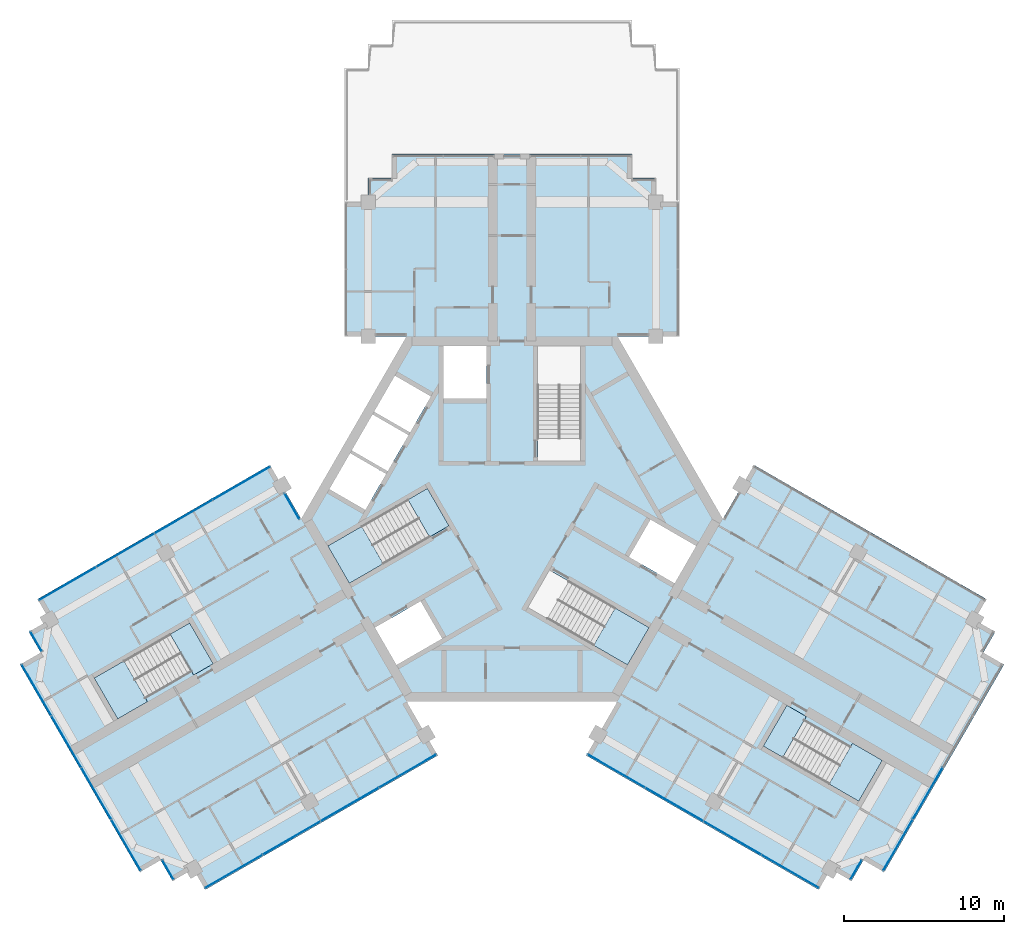
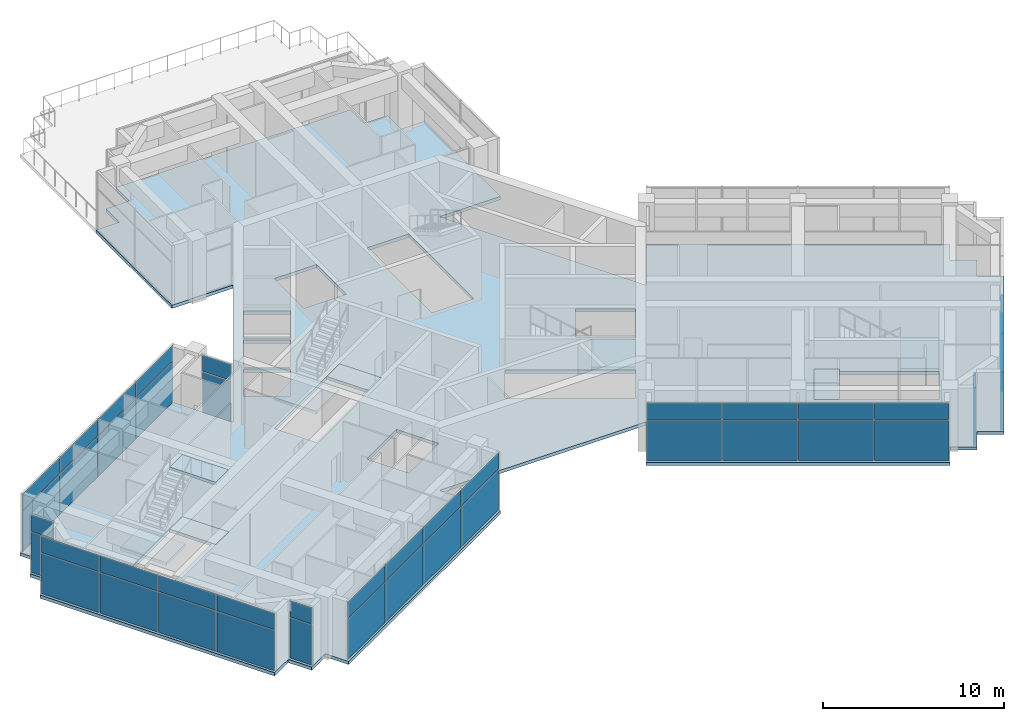
# One storey, part 8 of 15: 44 plates, 9 slabs, 13 elements without a shape of their own.
"""IFC4 building model written with IfcOpenShell, lengths in metres."""

from ifc_helpers import new_model, si_unit, direction, frame, origin, origin_2d, place, context, subcontext, project, spatial, polyline, rectangle, outline, extrude, material, layer, layer_set, type_object, element, aggregate, save


model = new_model("IFC4")

# Units and contexts
model_context = context("Model", 3, precision=1e-05, world=origin(), true_north=direction((0.0, 1.0)))
body_context = subcontext(model_context, "Body", "Model", "MODEL_VIEW")
ifc_project = project(units=[si_unit("LENGTHUNIT", "METRE"), si_unit("AREAUNIT", "SQUARE_METRE"), si_unit("VOLUMEUNIT", "CUBIC_METRE"), si_unit("PLANEANGLEUNIT", "RADIAN"), si_unit("MASSUNIT", "GRAM", prefix="KILO")], contexts=[model_context])

# Site, building, storey
site_placement = place(None, origin())
site = spatial("IfcSite", under=ifc_project, at=site_placement, CompositionType="ELEMENT")
building_placement = place(site_placement, origin())
building = spatial("IfcBuilding", under=site, at=building_placement, Name="Impinga Residences", CompositionType="ELEMENT")
storey_placement = place(building_placement, frame((0.0, 0.0, 274.75)))
storey = spatial("IfcBuildingStorey", under=building, at=storey_placement, Name="L69", CompositionType="ELEMENT", Elevation=274.75)

# Curtain wall, plates
ifc_material_1 = material(Name="Aluminium stick curtain wall", Category="aluminium")
curtain_wall_type = type_object("IfcCurtainWallType", Name="CW3 penthouse curtain wall", PredefinedType="USERDEFINED", material=ifc_material_1)
curtain_wall_1_placement = place(storey_placement, origin())
curtain_wall_1 = element("IfcCurtainWall", 1, at=curtain_wall_1_placement, inside=storey, type_object=curtain_wall_type, Name="Curtain wall CW3 L69", ObjectType="STICK CURTAIN WALL", PredefinedType="USERDEFINED")
ifc_material_2 = material(Name="Clear double glazing", Category="glass")
ifc_layer_1 = layer(ifc_material_2, 0.028076171875)
ifc_layer_set_1 = layer_set([ifc_layer_1], Name="CW3-P clear double glazed panel 28")
plate_type = type_object("IfcPlateType", Name="CW3-P clear double glazed panel 28", PredefinedType="CURTAIN_PANEL", material=ifc_layer_set_1)
plate_1_placement = place(storey_placement, frame((-21.53662109375, -21.96044921875, 0.06005859375), z_axis=(0.0, 0.0, 1.0), x_axis=(-0.500000030502, 0.866025386174, 0.0)))
plate_1 = element("IfcPlate", 2, at=plate_1_placement, type_object=plate_type, Name="CW3 panel 1.1", PredefinedType="CURTAIN_PANEL", context=body_context, shape_type="SweptSolid", body=[
    extrude(rectangle(XDim=1.3798828125, YDim=0.028076171875, at=origin_2d()), origin(), (0.0, 0.0, 1.0), 2.7099609375),
])
plate_2_placement = place(storey_placement, frame((-21.53662109375, -21.96044921875, 2.830078125), z_axis=(0.0, 0.0, 1.0), x_axis=(-0.500000030502, 0.866025386174, 0.0)))
plate_2 = element("IfcPlate", 3, at=plate_2_placement, type_object=plate_type, Name="CW3 panel 1.2", PredefinedType="CURTAIN_PANEL", context=body_context, shape_type="SweptSolid", body=[
    extrude(rectangle(XDim=1.3798828125, YDim=0.028076171875, at=origin_2d()), origin(), (0.0, 0.0, 1.0), 1.090087890625),
])
aggregate(curtain_wall_1, [plate_1, plate_2])

curtain_wall_2_placement = place(storey_placement, origin())
curtain_wall_2 = element("IfcCurtainWall", 4, at=curtain_wall_2_placement, inside=storey, type_object=curtain_wall_type, Name="Curtain wall CW3 L69", ObjectType="STICK CURTAIN WALL", PredefinedType="USERDEFINED")
plate_3_placement = place(storey_placement, frame((-24.15576171875, -20.424072265625, 0.06005859375), z_axis=(0.0, 0.0, 1.0), x_axis=(-0.500000001632, 0.866025402842, 0.0)))
plate_3 = element("IfcPlate", 5, at=plate_3_placement, type_object=plate_type, Name="CW3 panel 1.1", PredefinedType="CURTAIN_PANEL", context=body_context, shape_type="SweptSolid", body=[
    extrude(rectangle(XDim=3.659912109375, YDim=0.028076171875, at=origin_2d()), origin(), (0.0, 0.0, 1.0), 2.7099609375),
])
plate_4_placement = place(storey_placement, frame((-24.15576171875, -20.424072265625, 2.830078125), z_axis=(0.0, 0.0, 1.0), x_axis=(-0.500000001632, 0.866025402842, 0.0)))
plate_4 = element("IfcPlate", 6, at=plate_4_placement, type_object=plate_type, Name="CW3 panel 1.2", PredefinedType="CURTAIN_PANEL", context=body_context, shape_type="SweptSolid", body=[
    extrude(rectangle(XDim=3.659912109375, YDim=0.028076171875, at=origin_2d()), origin(), (0.0, 0.0, 1.0), 1.090087890625),
])
plate_5_placement = place(storey_placement, frame((-26.023193359375, -17.189453125, 0.06005859375), z_axis=(0.0, 0.0, 1.0), x_axis=(-0.500000001632, 0.866025402842, 0.0)))
plate_5 = element("IfcPlate", 7, at=plate_5_placement, type_object=plate_type, Name="CW3 panel 2.1", PredefinedType="CURTAIN_PANEL", context=body_context, shape_type="SweptSolid", body=[
    extrude(rectangle(XDim=3.68994140625, YDim=0.028076171875, at=origin_2d()), origin(), (0.0, 0.0, 1.0), 2.7099609375),
])
plate_6_placement = place(storey_placement, frame((-26.023193359375, -17.189453125, 2.830078125), z_axis=(0.0, 0.0, 1.0), x_axis=(-0.500000001632, 0.866025402842, 0.0)))
plate_6 = element("IfcPlate", 8, at=plate_6_placement, type_object=plate_type, Name="CW3 panel 2.2", PredefinedType="CURTAIN_PANEL", context=body_context, shape_type="SweptSolid", body=[
    extrude(rectangle(XDim=3.68994140625, YDim=0.028076171875, at=origin_2d()), origin(), (0.0, 0.0, 1.0), 1.090087890625),
])
plate_7_placement = place(storey_placement, frame((-27.898193359375, -13.94189453125, 0.06005859375), z_axis=(0.0, 0.0, 1.0), x_axis=(-0.500000001632, 0.866025402842, 0.0)))
plate_7 = element("IfcPlate", 9, at=plate_7_placement, type_object=plate_type, Name="CW3 panel 3.1", PredefinedType="CURTAIN_PANEL", context=body_context, shape_type="SweptSolid", body=[
    extrude(rectangle(XDim=3.68994140625, YDim=0.028076171875, at=origin_2d()), origin(), (0.0, 0.0, 1.0), 2.7099609375),
])
plate_8_placement = place(storey_placement, frame((-27.898193359375, -13.94189453125, 2.830078125), z_axis=(0.0, 0.0, 1.0), x_axis=(-0.500000001632, 0.866025402842, 0.0)))
plate_8 = element("IfcPlate", 10, at=plate_8_placement, type_object=plate_type, Name="CW3 panel 3.2", PredefinedType="CURTAIN_PANEL", context=body_context, shape_type="SweptSolid", body=[
    extrude(rectangle(XDim=3.68994140625, YDim=0.028076171875, at=origin_2d()), origin(), (0.0, 0.0, 1.0), 1.090087890625),
])
plate_9_placement = place(storey_placement, frame((-29.765625, -10.707275390625, 0.06005859375), z_axis=(0.0, 0.0, 1.0), x_axis=(-0.500000001632, 0.866025402842, 0.0)))
plate_9 = element("IfcPlate", 11, at=plate_9_placement, type_object=plate_type, Name="CW3 panel 4.1", PredefinedType="CURTAIN_PANEL", context=body_context, shape_type="SweptSolid", body=[
    extrude(rectangle(XDim=3.659912109375, YDim=0.028076171875, at=origin_2d()), origin(), (0.0, 0.0, 1.0), 2.7099609375),
])
plate_10_placement = place(storey_placement, frame((-29.765625, -10.707275390625, 2.830078125), z_axis=(0.0, 0.0, 1.0), x_axis=(-0.500000001632, 0.866025402842, 0.0)))
plate_10 = element("IfcPlate", 12, at=plate_10_placement, type_object=plate_type, Name="CW3 panel 4.2", PredefinedType="CURTAIN_PANEL", context=body_context, shape_type="SweptSolid", body=[
    extrude(rectangle(XDim=3.659912109375, YDim=0.028076171875, at=origin_2d()), origin(), (0.0, 0.0, 1.0), 1.090087890625),
])
aggregate(curtain_wall_2, [plate_3, plate_4, plate_5, plate_6, plate_7, plate_8, plate_9, plate_10])

curtain_wall_3_placement = place(storey_placement, origin())
curtain_wall_3 = element("IfcCurtainWall", 13, at=curtain_wall_3_placement, inside=storey, type_object=curtain_wall_type, Name="Curtain wall CW3 L69", ObjectType="STICK CURTAIN WALL", PredefinedType="USERDEFINED")
plate_11_placement = place(storey_placement, frame((-29.78662109375, -7.671142578125, 0.06005859375), z_axis=(0.0, 0.0, 1.0), x_axis=(-0.500000030502, 0.866025386174, 0.0)))
plate_11 = element("IfcPlate", 14, at=plate_11_placement, type_object=plate_type, Name="CW3 panel 1.1", PredefinedType="CURTAIN_PANEL", context=body_context, shape_type="SweptSolid", body=[
    extrude(rectangle(XDim=1.3798828125, YDim=0.028076171875, at=origin_2d()), origin(), (0.0, 0.0, 1.0), 2.7099609375),
])
plate_12_placement = place(storey_placement, frame((-29.78662109375, -7.671142578125, 2.830078125), z_axis=(0.0, 0.0, 1.0), x_axis=(-0.500000030502, 0.866025386174, 0.0)))
plate_12 = element("IfcPlate", 15, at=plate_12_placement, type_object=plate_type, Name="CW3 panel 1.2", PredefinedType="CURTAIN_PANEL", context=body_context, shape_type="SweptSolid", body=[
    extrude(rectangle(XDim=1.3798828125, YDim=0.028076171875, at=origin_2d()), origin(), (0.0, 0.0, 1.0), 1.090087890625),
])
aggregate(curtain_wall_3, [plate_11, plate_12])

curtain_wall_4_placement = place(storey_placement, origin())
curtain_wall_4 = element("IfcCurtainWall", 16, at=curtain_wall_4_placement, inside=storey, type_object=curtain_wall_type, Name="Curtain wall CW3 L69", ObjectType="STICK CURTAIN WALL", PredefinedType="USERDEFINED")
plate_13_placement = place(storey_placement, frame((-27.817626953125, -4.051513671875, 0.06005859375), z_axis=(0.0, 0.0, 1.0), x_axis=(0.866025407005, 0.499999994423, 0.0)))
plate_13 = element("IfcPlate", 17, at=plate_13_placement, type_object=plate_type, Name="CW3 panel 1.1", PredefinedType="CURTAIN_PANEL", context=body_context, shape_type="SweptSolid", body=[
    extrude(rectangle(XDim=4.110107421875, YDim=0.028076171875, at=origin_2d()), origin(), (0.0, 0.0, 1.0), 2.7099609375),
])
plate_14_placement = place(storey_placement, frame((-27.817626953125, -4.051513671875, 2.830078125), z_axis=(0.0, 0.0, 1.0), x_axis=(0.866025407005, 0.499999994423, 0.0)))
plate_14 = element("IfcPlate", 18, at=plate_14_placement, type_object=plate_type, Name="CW3 panel 1.2", PredefinedType="CURTAIN_PANEL", context=body_context, shape_type="SweptSolid", body=[
    extrude(rectangle(XDim=4.110107421875, YDim=0.028076171875, at=origin_2d()), origin(), (0.0, 0.0, 1.0), 1.090087890625),
])
plate_15_placement = place(storey_placement, frame((-24.193359375, -1.958984375, 0.06005859375), z_axis=(0.0, 0.0, 1.0), x_axis=(0.866025407005, 0.499999994423, 0.0)))
plate_15 = element("IfcPlate", 19, at=plate_15_placement, type_object=plate_type, Name="CW3 panel 2.1", PredefinedType="CURTAIN_PANEL", context=body_context, shape_type="SweptSolid", body=[
    extrude(rectangle(XDim=4.139892578125, YDim=0.028076171875, at=origin_2d()), origin(), (0.0, 0.0, 1.0), 2.7099609375),
])
plate_16_placement = place(storey_placement, frame((-24.193359375, -1.958984375, 2.830078125), z_axis=(0.0, 0.0, 1.0), x_axis=(0.866025407005, 0.499999994423, 0.0)))
plate_16 = element("IfcPlate", 20, at=plate_16_placement, type_object=plate_type, Name="CW3 panel 2.2", PredefinedType="CURTAIN_PANEL", context=body_context, shape_type="SweptSolid", body=[
    extrude(rectangle(XDim=4.139892578125, YDim=0.028076171875, at=origin_2d()), origin(), (0.0, 0.0, 1.0), 1.090087890625),
])
plate_17_placement = place(storey_placement, frame((-20.555908203125, 0.140869140625, 0.06005859375), z_axis=(0.0, 0.0, 1.0), x_axis=(0.866025407005, 0.499999994423, 0.0)))
plate_17 = element("IfcPlate", 21, at=plate_17_placement, type_object=plate_type, Name="CW3 panel 3.1", PredefinedType="CURTAIN_PANEL", context=body_context, shape_type="SweptSolid", body=[
    extrude(rectangle(XDim=4.139892578125, YDim=0.028076171875, at=origin_2d()), origin(), (0.0, 0.0, 1.0), 2.7099609375),
])
plate_18_placement = place(storey_placement, frame((-20.555908203125, 0.140869140625, 2.830078125), z_axis=(0.0, 0.0, 1.0), x_axis=(0.866025407005, 0.499999994423, 0.0)))
plate_18 = element("IfcPlate", 22, at=plate_18_placement, type_object=plate_type, Name="CW3 panel 3.2", PredefinedType="CURTAIN_PANEL", context=body_context, shape_type="SweptSolid", body=[
    extrude(rectangle(XDim=4.139892578125, YDim=0.028076171875, at=origin_2d()), origin(), (0.0, 0.0, 1.0), 1.090087890625),
])
plate_19_placement = place(storey_placement, frame((-16.931640625, 2.2333984375, 0.06005859375), z_axis=(0.0, 0.0, 1.0), x_axis=(0.866025407005, 0.499999994423, 0.0)))
plate_19 = element("IfcPlate", 23, at=plate_19_placement, type_object=plate_type, Name="CW3 panel 4.1", PredefinedType="CURTAIN_PANEL", context=body_context, shape_type="SweptSolid", body=[
    extrude(rectangle(XDim=4.110107421875, YDim=0.028076171875, at=origin_2d()), origin(), (0.0, 0.0, 1.0), 2.7099609375),
])
plate_20_placement = place(storey_placement, frame((-16.931640625, 2.2333984375, 2.830078125), z_axis=(0.0, 0.0, 1.0), x_axis=(0.866025407005, 0.499999994423, 0.0)))
plate_20 = element("IfcPlate", 24, at=plate_20_placement, type_object=plate_type, Name="CW3 panel 4.2", PredefinedType="CURTAIN_PANEL", context=body_context, shape_type="SweptSolid", body=[
    extrude(rectangle(XDim=4.110107421875, YDim=0.028076171875, at=origin_2d()), origin(), (0.0, 0.0, 1.0), 1.090087890625),
])
aggregate(curtain_wall_4, [plate_13, plate_14, plate_15, plate_16, plate_17, plate_18, plate_19, plate_20])

curtain_wall_5_placement = place(storey_placement, origin())
curtain_wall_5 = element("IfcCurtainWall", 25, at=curtain_wall_5_placement, inside=storey, type_object=curtain_wall_type, Name="Curtain wall CW3 L69", ObjectType="STICK CURTAIN WALL", PredefinedType="USERDEFINED")
plate_21_placement = place(storey_placement, frame((-13.7734375, 0.79296875, 0.06005859375), z_axis=(0.0, 0.0, 1.0), x_axis=(0.50000010257, -0.866025344565, 0.0)))
plate_21 = element("IfcPlate", 26, at=plate_21_placement, type_object=plate_type, Name="CW3 panel 1.1", PredefinedType="CURTAIN_PANEL", context=body_context, shape_type="SweptSolid", body=[
    extrude(rectangle(XDim=1.826904296875, YDim=0.028076171875, at=origin_2d()), origin(), (0.0, 0.0, 1.0), 2.7099609375),
])
plate_22_placement = place(storey_placement, frame((-13.7734375, 0.79296875, 2.830078125), z_axis=(0.0, 0.0, 1.0), x_axis=(0.50000010257, -0.866025344565, 0.0)))
plate_22 = element("IfcPlate", 27, at=plate_22_placement, type_object=plate_type, Name="CW3 panel 1.2", PredefinedType="CURTAIN_PANEL", context=body_context, shape_type="SweptSolid", body=[
    extrude(rectangle(XDim=1.826904296875, YDim=0.028076171875, at=origin_2d()), origin(), (0.0, 0.0, 1.0), 1.090087890625),
])
aggregate(curtain_wall_5, [plate_21, plate_22])

curtain_wall_6_placement = place(storey_placement, origin())
curtain_wall_6 = element("IfcCurtainWall", 28, at=curtain_wall_6_placement, inside=storey, type_object=curtain_wall_type, Name="Curtain wall CW3 L69", ObjectType="STICK CURTAIN WALL", PredefinedType="USERDEFINED")
plate_23_placement = place(storey_placement, frame((26.023193359375, -17.189453125, 0.06005859375), z_axis=(0.0, 0.0, 1.0), x_axis=(-0.500000001632, -0.866025402842, 0.0)))
plate_23 = element("IfcPlate", 29, at=plate_23_placement, type_object=plate_type, Name="CW3 panel 3.1", PredefinedType="CURTAIN_PANEL", context=body_context, shape_type="SweptSolid", body=[
    extrude(rectangle(XDim=3.68994140625, YDim=0.028076171875, at=origin_2d()), origin(), (0.0, 0.0, 1.0), 2.7099609375),
])
plate_24_placement = place(storey_placement, frame((26.023193359375, -17.189453125, 2.830078125), z_axis=(0.0, 0.0, 1.0), x_axis=(-0.500000001632, -0.866025402842, 0.0)))
plate_24 = element("IfcPlate", 30, at=plate_24_placement, type_object=plate_type, Name="CW3 panel 3.2", PredefinedType="CURTAIN_PANEL", context=body_context, shape_type="SweptSolid", body=[
    extrude(rectangle(XDim=3.68994140625, YDim=0.028076171875, at=origin_2d()), origin(), (0.0, 0.0, 1.0), 1.090087890625),
])
plate_25_placement = place(storey_placement, frame((24.15576171875, -20.424072265625, 0.06005859375), z_axis=(0.0, 0.0, 1.0), x_axis=(-0.500000001632, -0.866025402842, 0.0)))
plate_25 = element("IfcPlate", 31, at=plate_25_placement, type_object=plate_type, Name="CW3 panel 4.1", PredefinedType="CURTAIN_PANEL", context=body_context, shape_type="SweptSolid", body=[
    extrude(rectangle(XDim=3.659912109375, YDim=0.028076171875, at=origin_2d()), origin(), (0.0, 0.0, 1.0), 2.7099609375),
])
plate_26_placement = place(storey_placement, frame((24.15576171875, -20.424072265625, 2.830078125), z_axis=(0.0, 0.0, 1.0), x_axis=(-0.500000001632, -0.866025402842, 0.0)))
plate_26 = element("IfcPlate", 32, at=plate_26_placement, type_object=plate_type, Name="CW3 panel 4.2", PredefinedType="CURTAIN_PANEL", context=body_context, shape_type="SweptSolid", body=[
    extrude(rectangle(XDim=3.659912109375, YDim=0.028076171875, at=origin_2d()), origin(), (0.0, 0.0, 1.0), 1.090087890625),
])
aggregate(curtain_wall_6, [plate_23, plate_24, plate_25, plate_26])

curtain_wall_7_placement = place(storey_placement, origin())
curtain_wall_7 = element("IfcCurtainWall", 33, at=curtain_wall_7_placement, inside=storey, type_object=curtain_wall_type, Name="Curtain wall CW3 L69", ObjectType="STICK CURTAIN WALL", PredefinedType="USERDEFINED")
plate_27_placement = place(storey_placement, frame((21.53662109375, -21.96044921875, 0.06005859375), z_axis=(0.0, 0.0, 1.0), x_axis=(-0.500000030502, -0.866025386174, 0.0)))
plate_27 = element("IfcPlate", 34, at=plate_27_placement, type_object=plate_type, Name="CW3 panel 1.1", PredefinedType="CURTAIN_PANEL", context=body_context, shape_type="SweptSolid", body=[
    extrude(rectangle(XDim=1.3798828125, YDim=0.028076171875, at=origin_2d()), origin(), (0.0, 0.0, 1.0), 2.7099609375),
])
plate_28_placement = place(storey_placement, frame((21.53662109375, -21.96044921875, 2.830078125), z_axis=(0.0, 0.0, 1.0), x_axis=(-0.500000030502, -0.866025386174, 0.0)))
plate_28 = element("IfcPlate", 35, at=plate_28_placement, type_object=plate_type, Name="CW3 panel 1.2", PredefinedType="CURTAIN_PANEL", context=body_context, shape_type="SweptSolid", body=[
    extrude(rectangle(XDim=1.3798828125, YDim=0.028076171875, at=origin_2d()), origin(), (0.0, 0.0, 1.0), 1.090087890625),
])
aggregate(curtain_wall_7, [plate_27, plate_28])

curtain_wall_8_placement = place(storey_placement, origin())
curtain_wall_8 = element("IfcCurtainWall", 36, at=curtain_wall_8_placement, inside=storey, type_object=curtain_wall_type, Name="Curtain wall CW3 L69", ObjectType="STICK CURTAIN WALL", PredefinedType="USERDEFINED")
plate_29_placement = place(storey_placement, frame((17.41748046875, -22.06494140625, 0.06005859375), z_axis=(0.0, 0.0, 1.0), x_axis=(-0.866025407005, 0.499999994423, 0.0)))
plate_29 = element("IfcPlate", 37, at=plate_29_placement, type_object=plate_type, Name="CW3 panel 1.1", PredefinedType="CURTAIN_PANEL", context=body_context, shape_type="SweptSolid", body=[
    extrude(rectangle(XDim=4.110107421875, YDim=0.028076171875, at=origin_2d()), origin(), (0.0, 0.0, 1.0), 2.7099609375),
])
plate_30_placement = place(storey_placement, frame((17.41748046875, -22.06494140625, 2.830078125), z_axis=(0.0, 0.0, 1.0), x_axis=(-0.866025407005, 0.499999994423, 0.0)))
plate_30 = element("IfcPlate", 38, at=plate_30_placement, type_object=plate_type, Name="CW3 panel 1.2", PredefinedType="CURTAIN_PANEL", context=body_context, shape_type="SweptSolid", body=[
    extrude(rectangle(XDim=4.110107421875, YDim=0.028076171875, at=origin_2d()), origin(), (0.0, 0.0, 1.0), 1.090087890625),
])
plate_31_placement = place(storey_placement, frame((13.793212890625, -19.972412109375, 0.06005859375), z_axis=(0.0, 0.0, 1.0), x_axis=(-0.866025407005, 0.499999994423, 0.0)))
plate_31 = element("IfcPlate", 39, at=plate_31_placement, type_object=plate_type, Name="CW3 panel 2.1", PredefinedType="CURTAIN_PANEL", context=body_context, shape_type="SweptSolid", body=[
    extrude(rectangle(XDim=4.139892578125, YDim=0.028076171875, at=origin_2d()), origin(), (0.0, 0.0, 1.0), 2.7099609375),
])
plate_32_placement = place(storey_placement, frame((13.793212890625, -19.972412109375, 2.830078125), z_axis=(0.0, 0.0, 1.0), x_axis=(-0.866025407005, 0.499999994423, 0.0)))
plate_32 = element("IfcPlate", 40, at=plate_32_placement, type_object=plate_type, Name="CW3 panel 2.2", PredefinedType="CURTAIN_PANEL", context=body_context, shape_type="SweptSolid", body=[
    extrude(rectangle(XDim=4.139892578125, YDim=0.028076171875, at=origin_2d()), origin(), (0.0, 0.0, 1.0), 1.090087890625),
])
plate_33_placement = place(storey_placement, frame((10.156005859375, -17.872314453125, 0.06005859375), z_axis=(0.0, 0.0, 1.0), x_axis=(-0.866025407005, 0.499999994423, 0.0)))
plate_33 = element("IfcPlate", 41, at=plate_33_placement, type_object=plate_type, Name="CW3 panel 3.1", PredefinedType="CURTAIN_PANEL", context=body_context, shape_type="SweptSolid", body=[
    extrude(rectangle(XDim=4.139892578125, YDim=0.028076171875, at=origin_2d()), origin(), (0.0, 0.0, 1.0), 2.7099609375),
])
plate_34_placement = place(storey_placement, frame((10.156005859375, -17.872314453125, 2.830078125), z_axis=(0.0, 0.0, 1.0), x_axis=(-0.866025407005, 0.499999994423, 0.0)))
plate_34 = element("IfcPlate", 42, at=plate_34_placement, type_object=plate_type, Name="CW3 panel 3.2", PredefinedType="CURTAIN_PANEL", context=body_context, shape_type="SweptSolid", body=[
    extrude(rectangle(XDim=4.139892578125, YDim=0.028076171875, at=origin_2d()), origin(), (0.0, 0.0, 1.0), 1.090087890625),
])
plate_35_placement = place(storey_placement, frame((6.53173828125, -15.780029296875, 0.06005859375), z_axis=(0.0, 0.0, 1.0), x_axis=(-0.866025407005, 0.499999994423, 0.0)))
plate_35 = element("IfcPlate", 43, at=plate_35_placement, type_object=plate_type, Name="CW3 panel 4.1", PredefinedType="CURTAIN_PANEL", context=body_context, shape_type="SweptSolid", body=[
    extrude(rectangle(XDim=4.110107421875, YDim=0.028076171875, at=origin_2d()), origin(), (0.0, 0.0, 1.0), 2.7099609375),
])
plate_36_placement = place(storey_placement, frame((6.53173828125, -15.780029296875, 2.830078125), z_axis=(0.0, 0.0, 1.0), x_axis=(-0.866025407005, 0.499999994423, 0.0)))
plate_36 = element("IfcPlate", 44, at=plate_36_placement, type_object=plate_type, Name="CW3 panel 4.2", PredefinedType="CURTAIN_PANEL", context=body_context, shape_type="SweptSolid", body=[
    extrude(rectangle(XDim=4.110107421875, YDim=0.028076171875, at=origin_2d()), origin(), (0.0, 0.0, 1.0), 1.090087890625),
])
aggregate(curtain_wall_8, [plate_29, plate_30, plate_31, plate_32, plate_33, plate_34, plate_35, plate_36])

curtain_wall_9_placement = place(storey_placement, origin())
curtain_wall_9 = element("IfcCurtainWall", 45, at=curtain_wall_9_placement, inside=storey, type_object=curtain_wall_type, Name="Curtain wall CW3 L69", ObjectType="STICK CURTAIN WALL", PredefinedType="USERDEFINED")
plate_37_placement = place(storey_placement, frame((-6.53173828125, -15.780029296875, 0.06005859375), z_axis=(0.0, 0.0, 1.0), x_axis=(-0.866025407005, -0.499999994423, 0.0)))
plate_37 = element("IfcPlate", 46, at=plate_37_placement, type_object=plate_type, Name="CW3 panel 1.1", PredefinedType="CURTAIN_PANEL", context=body_context, shape_type="SweptSolid", body=[
    extrude(rectangle(XDim=4.110107421875, YDim=0.028076171875, at=origin_2d()), origin(), (0.0, 0.0, 1.0), 2.7099609375),
])
plate_38_placement = place(storey_placement, frame((-6.53173828125, -15.780029296875, 2.830078125), z_axis=(0.0, 0.0, 1.0), x_axis=(-0.866025407005, -0.499999994423, 0.0)))
plate_38 = element("IfcPlate", 47, at=plate_38_placement, type_object=plate_type, Name="CW3 panel 1.2", PredefinedType="CURTAIN_PANEL", context=body_context, shape_type="SweptSolid", body=[
    extrude(rectangle(XDim=4.110107421875, YDim=0.028076171875, at=origin_2d()), origin(), (0.0, 0.0, 1.0), 1.090087890625),
])
plate_39_placement = place(storey_placement, frame((-10.156005859375, -17.872314453125, 0.06005859375), z_axis=(0.0, 0.0, 1.0), x_axis=(-0.866025407005, -0.499999994423, 0.0)))
plate_39 = element("IfcPlate", 48, at=plate_39_placement, type_object=plate_type, Name="CW3 panel 2.1", PredefinedType="CURTAIN_PANEL", context=body_context, shape_type="SweptSolid", body=[
    extrude(rectangle(XDim=4.139892578125, YDim=0.028076171875, at=origin_2d()), origin(), (0.0, 0.0, 1.0), 2.7099609375),
])
plate_40_placement = place(storey_placement, frame((-10.156005859375, -17.872314453125, 2.830078125), z_axis=(0.0, 0.0, 1.0), x_axis=(-0.866025407005, -0.499999994423, 0.0)))
plate_40 = element("IfcPlate", 49, at=plate_40_placement, type_object=plate_type, Name="CW3 panel 2.2", PredefinedType="CURTAIN_PANEL", context=body_context, shape_type="SweptSolid", body=[
    extrude(rectangle(XDim=4.139892578125, YDim=0.028076171875, at=origin_2d()), origin(), (0.0, 0.0, 1.0), 1.090087890625),
])
plate_41_placement = place(storey_placement, frame((-13.793212890625, -19.972412109375, 0.06005859375), z_axis=(0.0, 0.0, 1.0), x_axis=(-0.866025407005, -0.499999994423, 0.0)))
plate_41 = element("IfcPlate", 50, at=plate_41_placement, type_object=plate_type, Name="CW3 panel 3.1", PredefinedType="CURTAIN_PANEL", context=body_context, shape_type="SweptSolid", body=[
    extrude(rectangle(XDim=4.139892578125, YDim=0.028076171875, at=origin_2d()), origin(), (0.0, 0.0, 1.0), 2.7099609375),
])
plate_42_placement = place(storey_placement, frame((-13.793212890625, -19.972412109375, 2.830078125), z_axis=(0.0, 0.0, 1.0), x_axis=(-0.866025407005, -0.499999994423, 0.0)))
plate_42 = element("IfcPlate", 51, at=plate_42_placement, type_object=plate_type, Name="CW3 panel 3.2", PredefinedType="CURTAIN_PANEL", context=body_context, shape_type="SweptSolid", body=[
    extrude(rectangle(XDim=4.139892578125, YDim=0.028076171875, at=origin_2d()), origin(), (0.0, 0.0, 1.0), 1.090087890625),
])
plate_43_placement = place(storey_placement, frame((-17.41748046875, -22.06494140625, 0.06005859375), z_axis=(0.0, 0.0, 1.0), x_axis=(-0.866025407005, -0.499999994423, 0.0)))
plate_43 = element("IfcPlate", 52, at=plate_43_placement, type_object=plate_type, Name="CW3 panel 4.1", PredefinedType="CURTAIN_PANEL", context=body_context, shape_type="SweptSolid", body=[
    extrude(rectangle(XDim=4.110107421875, YDim=0.028076171875, at=origin_2d()), origin(), (0.0, 0.0, 1.0), 2.7099609375),
])
plate_44_placement = place(storey_placement, frame((-17.41748046875, -22.06494140625, 2.830078125), z_axis=(0.0, 0.0, 1.0), x_axis=(-0.866025407005, -0.499999994423, 0.0)))
plate_44 = element("IfcPlate", 53, at=plate_44_placement, type_object=plate_type, Name="CW3 panel 4.2", PredefinedType="CURTAIN_PANEL", context=body_context, shape_type="SweptSolid", body=[
    extrude(rectangle(XDim=4.110107421875, YDim=0.028076171875, at=origin_2d()), origin(), (0.0, 0.0, 1.0), 1.090087890625),
])
aggregate(curtain_wall_9, [plate_37, plate_38, plate_39, plate_40, plate_41, plate_42, plate_43, plate_44])

# Slab
ifc_material_3 = material(Name="Concrete C60/75", Category="concrete")
ifc_layer_2 = layer(ifc_material_3, 0.219970703125)
ifc_layer_set_2 = layer_set([ifc_layer_2], Name="Concrete C60/75")
slab_type_1 = type_object("IfcSlabType", Name="FS1 tower floor slab 220", PredefinedType="FLOOR", material=ifc_layer_set_2)
slab_1_placement = place(storey_placement, frame((0.0, 0.0, -0.219970703125)))
element("IfcSlab", 54, at=slab_1_placement, inside=storey, type_object=slab_type_1, Name="Floor slab FS1 L69", PredefinedType="FLOOR", context=body_context, shape_type="SweptSolid", body=[
    extrude(outline(polyline([(-19.94921875, -21.909912109375), (-21.248291015625, -22.659912109375), (-21.998291015625, -21.36083984375), (-23.29736328125, -22.11083984375), (-30.79736328125, -9.12060546875), (-29.498291015625, -8.37060546875), (-30.248291015625, -7.071533203125), (-28.94921875, -6.321533203125), (-29.69921875, -5.0224609375), (-15.14990234375, 3.37744140625), (-13.199951171875, 0.0), (-6.60009765625, 11.431640625), (-10.5, 11.431640625), (-10.5, 19.83154296875), (-9.0, 19.83154296875), (-9.0, 21.33154296875), (-7.5, 21.33154296875), (-7.5, 22.83154296875), (7.5, 22.83154296875), (7.5, 21.33154296875), (9.0, 21.33154296875), (9.0, 19.83154296875), (10.5, 19.83154296875), (10.5, 11.431640625), (6.60009765625, 11.431640625), (13.199951171875, 0.0), (15.14990234375, 3.37744140625), (29.69921875, -5.0224609375), (28.94921875, -6.321533203125), (30.248291015625, -7.071533203125), (29.498291015625, -8.37060546875), (30.79736328125, -9.12060546875), (23.29736328125, -22.11083984375), (21.998291015625, -21.36083984375), (21.248291015625, -22.659912109375), (19.94921875, -21.909912109375), (19.19921875, -23.208984375), (4.64990234375, -14.80908203125), (9.900146484375, -5.7158203125), (6.60009765625, -11.431640625), (-6.60009765625, -11.431640625), (-9.900146484375, -5.7158203125), (-4.64990234375, -14.80908203125), (-19.19921875, -23.208984375), (-19.94921875, -21.909912109375)]), holes=[polyline([(-18.8291015625, -8.850341796875), (-18.8291015625, -8.850341796875), (-20.178955078125, -6.511962890625), (-21.391357421875, -7.2119140625), (-21.391357421875, -7.2119140625), (-26.154541015625, -9.9619140625), (-24.8046875, -12.30029296875), (-20.04150390625, -9.55029296875), (-19.91650390625, -9.766845703125), (-18.7041015625, -9.066650390625), (-18.8291015625, -8.850341796875)]), polyline([(-5.72119140625, -5.150634765625), (-8.580322265625, -6.801513671875), (-7.23046875, -9.1396484375), (-4.37109375, -7.489013671875), (-5.72119140625, -5.150634765625)]), polyline([(-5.293701171875, 1.908935546875), (-11.5302734375, -1.69189453125), (-10.180419921875, -4.030029296875), (-3.943603515625, -0.429443359375), (-5.293701171875, 1.908935546875)]), polyline([(-7.878662109375, 2.816650390625), (-10.13037109375, 4.11669921875), (-11.430419921875, 1.864990234375), (-9.1787109375, 0.56494140625), (-7.878662109375, 2.816650390625)]), polyline([(-6.478759765625, 5.24169921875), (-8.73046875, 6.54150390625), (-10.0302734375, 4.2900390625), (-7.77880859375, 2.989990234375), (-6.478759765625, 5.24169921875)]), polyline([(-5.07861328125, 7.66650390625), (-7.330322265625, 8.966552734375), (-8.63037109375, 6.71484375), (-6.378662109375, 5.414794921875), (-5.07861328125, 7.66650390625)]), polyline([(15.72900390625, -14.219482421875), (21.70458984375, -17.669677734375), (23.0546875, -15.331298828125), (18.29150390625, -12.581298828125), (18.41650390625, -12.36474609375), (17.2041015625, -11.664794921875), (15.72900390625, -14.219482421875)]), polyline([(0.99365234375, -5.538818359375), (7.23046875, -9.1396484375), (8.580322265625, -6.801513671875), (2.34375, -3.20068359375), (0.99365234375, -5.538818359375)]), polyline([(7.3212890625, -2.37939453125), (10.180419921875, -4.030029296875), (11.5302734375, -1.69189453125), (8.671142578125, -0.041015625), (7.3212890625, -2.37939453125)]), polyline([(4.300048828125, 3.6298828125), (4.300048828125, 10.83154296875), (1.60009765625, 10.83154296875), (1.60009765625, 3.6298828125), (4.300048828125, 3.6298828125)]), polyline([(-1.60009765625, 7.530029296875), (-1.60009765625, 10.83154296875), (-4.300048828125, 10.83154296875), (-4.300048828125, 7.530029296875), (-1.60009765625, 7.530029296875)])]), origin(), (0.0, 0.0, 1.0), 0.219970703125),
])

# Stair, slabs
ifc_material_4 = material(Name="Concrete C40/50", Category="concrete")
stair_type_1 = type_object("IfcStairType", Name="STR core stair 4200 storey, 26 risers", PredefinedType="HALF_TURN_STAIR", material=ifc_material_4)
stair_1_placement = place(storey_placement, origin())
stair_1 = element("IfcStair", 55, at=stair_1_placement, inside=storey, type_object=stair_type_1, Name="Stair ST2 L69", PredefinedType="HALF_TURN_STAIR")
ifc_layer_3 = layer(ifc_material_4, 0.199951171875)
ifc_layer_set_3 = layer_set([ifc_layer_3], Name="Concrete C40/50")
slab_type_2 = type_object("IfcSlabType", Name="LS1 stair landing 200", PredefinedType="LANDING", material=ifc_layer_set_3)
slab_2_placement = place(storey_placement, frame((0.0, 0.0, -0.199951171875)))
slab_2 = element("IfcSlab", 56, at=slab_2_placement, type_object=slab_type_2, Name="ST2 landing 1", PredefinedType="LANDING", context=body_context, shape_type="SweptSolid", body=[
    extrude(outline(polyline([(-3.943603515625, -0.429443359375), (-5.293701171875, 1.908935546875), (-6.5146484375, 1.203857421875), (-5.164794921875, -1.13427734375), (-3.943603515625, -0.429443359375)])), origin(), (0.0, 0.0, 1.0), 0.199951171875),
])
slab_3_placement = place(storey_placement, frame((0.0, 0.0, 1.89990234375)))
slab_3 = element("IfcSlab", 57, at=slab_3_placement, type_object=slab_type_2, Name="ST2 landing 2", PredefinedType="LANDING", context=body_context, shape_type="SweptSolid", body=[
    extrude(outline(polyline([(-8.057373046875, -2.804443359375), (-9.4072265625, -0.466064453125), (-11.5302734375, -1.69189453125), (-10.180419921875, -4.030029296875), (-8.057373046875, -2.804443359375)])), origin(), (0.0, 0.0, 1.0), 0.2001953125),
])
aggregate(stair_1, [slab_2, slab_3])

# Stair, slab
stair_2_placement = place(storey_placement, origin())
stair_2 = element("IfcStair", 58, at=stair_2_placement, inside=storey, type_object=stair_type_1, Name="Stair ST3 L69", PredefinedType="HALF_TURN_STAIR")
slab_4_placement = place(storey_placement, frame((0.0, 0.0, 1.89990234375)))
slab_4 = element("IfcSlab", 59, at=slab_4_placement, type_object=slab_type_2, Name="ST3 landing 2", PredefinedType="LANDING", context=body_context, shape_type="SweptSolid", body=[
    extrude(outline(polyline([(6.457275390625, -5.57568359375), (5.107177734375, -7.913818359375), (7.23046875, -9.1396484375), (8.580322265625, -6.801513671875), (6.457275390625, -5.57568359375)])), origin(), (0.0, 0.0, 1.0), 0.2001953125),
])
aggregate(stair_2, [slab_4])

# Stair, slabs
stair_type_2 = type_object("IfcStairType", Name="STR wing stair 4200 storey, 26 risers", PredefinedType="HALF_TURN_STAIR", material=ifc_material_4)
stair_3_placement = place(storey_placement, origin())
stair_3 = element("IfcStair", 60, at=stair_3_placement, inside=storey, type_object=stair_type_2, Name="Stair WS2 L69", PredefinedType="HALF_TURN_STAIR")
slab_5_placement = place(storey_placement, frame((0.0, 0.0, -0.199951171875)))
slab_5 = element("IfcSlab", 61, at=slab_5_placement, type_object=slab_type_2, Name="WS2 landing 1", PredefinedType="LANDING", context=body_context, shape_type="SweptSolid", body=[
    extrude(outline(polyline([(-18.7041015625, -9.066650390625), (-20.178955078125, -6.511962890625), (-21.400146484375, -7.217041015625), (-19.925048828125, -9.771728515625), (-18.7041015625, -9.066650390625)])), origin(), (0.0, 0.0, 1.0), 0.199951171875),
])
slab_6_placement = place(storey_placement, frame((0.0, 0.0, 1.89990234375)))
slab_6 = element("IfcSlab", 62, at=slab_6_placement, type_object=slab_type_2, Name="WS2 landing 2", PredefinedType="LANDING", context=body_context, shape_type="SweptSolid", body=[
    extrude(outline(polyline([(-22.817626953125, -11.441650390625), (-24.292724609375, -8.886962890625), (-26.154541015625, -9.9619140625), (-24.6796875, -12.516845703125), (-22.817626953125, -11.441650390625)])), origin(), (0.0, 0.0, 1.0), 0.2001953125),
])
slab_7_placement = place(storey_placement, frame((0.0, 0.0, 4.0)))
slab_7 = element("IfcSlab", 63, at=slab_7_placement, type_object=slab_type_2, Name="WS2 landing 3", PredefinedType="LANDING", context=body_context, shape_type="SweptSolid", body=[
    extrude(outline(polyline([(-18.7041015625, -9.066650390625), (-20.178955078125, -6.511962890625), (-21.400146484375, -7.217041015625), (-19.925048828125, -9.771728515625), (-18.7041015625, -9.066650390625)])), origin(), (0.0, 0.0, 1.0), 0.199951171875),
])
aggregate(stair_3, [slab_5, slab_6, slab_7])

stair_4_placement = place(storey_placement, origin())
stair_4 = element("IfcStair", 64, at=stair_4_placement, inside=storey, type_object=stair_type_2, Name="Stair WS3 L69", PredefinedType="HALF_TURN_STAIR")
slab_8_placement = place(storey_placement, frame((0.0, 0.0, -0.199951171875)))
slab_8 = element("IfcSlab", 65, at=slab_8_placement, type_object=slab_type_2, Name="WS3 landing 1", PredefinedType="LANDING", context=body_context, shape_type="SweptSolid", body=[
    extrude(outline(polyline([(17.2041015625, -11.664794921875), (15.72900390625, -14.219482421875), (16.9501953125, -14.924560546875), (18.425048828125, -12.369873046875), (17.2041015625, -11.664794921875)])), origin(), (0.0, 0.0, 1.0), 0.199951171875),
])
slab_9_placement = place(storey_placement, frame((0.0, 0.0, 1.89990234375)))
slab_9 = element("IfcSlab", 66, at=slab_9_placement, type_object=slab_type_2, Name="WS3 landing 2", PredefinedType="LANDING", context=body_context, shape_type="SweptSolid", body=[
    extrude(outline(polyline([(21.317626953125, -14.039794921875), (19.8427734375, -16.594482421875), (21.70458984375, -17.669677734375), (23.1796875, -15.11474609375), (21.317626953125, -14.039794921875)])), origin(), (0.0, 0.0, 1.0), 0.2001953125),
])
aggregate(stair_4, [slab_8, slab_9])

save(model, "model.ifc")
